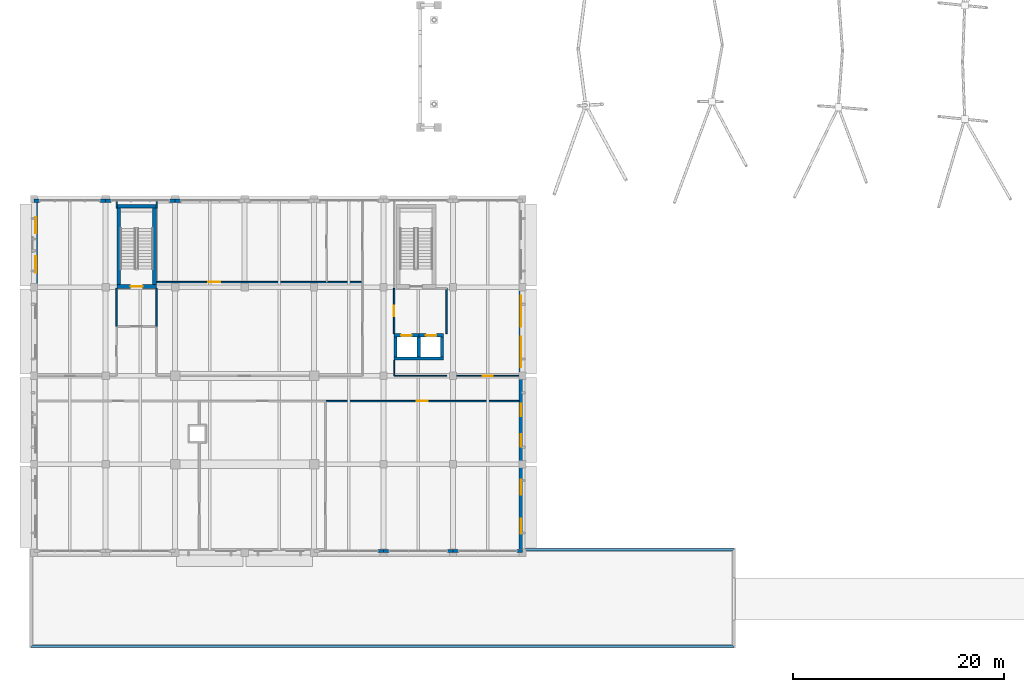
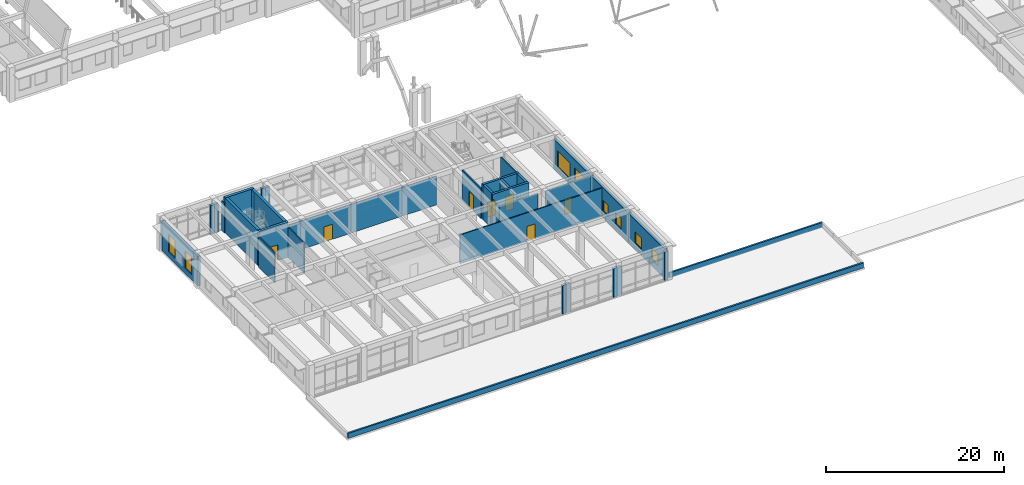
# One storey, part 43 of 75: 37 walls, 8 windows, 7 doors, 15 openings.
"""IFC4 building model written with IfcOpenShell, lengths in metres."""

from ifc_helpers import new_model, si_unit, direction, frame, frame_2d, origin, place, context, subcontext, project, spatial, rectangle, extrude, material, layer, layer_set, type_object, element, fill, save


model = new_model("IFC4")

# Units and contexts
model_context = context("Model", 3, precision=1e-05, world=origin(), true_north=direction((0.0, 1.0)))
body_context = subcontext(model_context, "Body", "Model", "MODEL_VIEW")
ifc_project = project(units=[si_unit("LENGTHUNIT", "METRE"), si_unit("AREAUNIT", "SQUARE_METRE"), si_unit("VOLUMEUNIT", "CUBIC_METRE"), si_unit("PLANEANGLEUNIT", "RADIAN"), si_unit("MASSUNIT", "GRAM", prefix="KILO")], contexts=[model_context])

# Site, building, storey
site_placement = place(None, origin())
site = spatial("IfcSite", under=ifc_project, at=site_placement, CompositionType="ELEMENT")
building_placement = place(site_placement, origin())
building = spatial("IfcBuilding", under=site, at=building_placement, Name="Kolvaren Faculty of Natural Sciences", CompositionType="ELEMENT")
storey_placement = place(building_placement, frame((0.0, 0.0, 5.39990234375)))
storey = spatial("IfcBuildingStorey", under=building, at=storey_placement, Name="L01", CompositionType="ELEMENT", Elevation=5.39990234375)

# Wall, opening, door
ifc_material_1 = material(Name="Acoustic mineral-wool insulated gypsum partition")
ifc_layer_1 = layer(ifc_material_1, 0.139892578125)
ifc_layer_set_1 = layer_set([ifc_layer_1], Name="Acoustic mineral-wool insulated gypsum partition")
wall_type_1 = type_object("IfcWallType", Name="CommonsPartitionWall_140", PredefinedType="PARTITIONING", material=ifc_layer_set_1)
wall_1_placement = place(storey_placement, frame((27.699951171875, 23.0, 0.0), z_axis=(0.0, 0.0, 1.0), x_axis=(1.0, 0.0, 0.0)))
wall_1 = element("IfcWall", 1, at=wall_1_placement, inside=storey, type_object=wall_type_1, Name="L01 interior partition PW-140", PredefinedType="PARTITIONING", context=body_context, shape_type="SweptSolid", body=[
    extrude(rectangle(XDim=18.3779296875, YDim=0.139892578125, at=frame_2d((9.18896484375, 0.0))), origin(), (0.0, 0.0, 1.0), 3.93505859375),
])
opening_1_placement = place(wall_1_placement, frame((8.6640625, 0.0, 0.0)))
opening_1 = element("IfcOpeningElement", 2, at=opening_1_placement, cuts=wall_1, Name="Opening ID-09", PredefinedType="OPENING", context=body_context, shape_type="SweptSolid", body=[
    extrude(rectangle(XDim=1.050048828125, YDim=2.06005859375, at=frame_2d((0.52490234375, 1.030029296875))), frame((0.0, 0.079833984375, 0.0), z_axis=(0.0, -1.0, 0.0), x_axis=(1.0, 0.0, 0.0)), (0.0, 0.0, 1.0), 0.159912109375),
])
ifc_material_2 = material(Name="Solid-core hardwood veneer door leaf in steel frame", Category="steel")
door_type_1 = type_object("IfcDoorType", Name="InteriorRoomDoor_1050x2060", OperationType="NOTDEFINED", PredefinedType="DOOR", material=ifc_material_2)
door_1_placement = place(opening_1_placement, origin())
door_1 = element("IfcDoor", 3, at=door_1_placement, inside=storey, type_object=door_type_1, Name="D-L01-0136", OperationType="SINGLE_SWING_RIGHT", OverallHeight=2.06005859375, OverallWidth=1.050048828125, PredefinedType="DOOR", context=body_context, shape_type="SweptSolid", body=[
    extrude(rectangle(XDim=1.050048828125, YDim=2.06005859375, at=frame_2d((0.52490234375, 1.030029296875))), frame((0.0, 0.02490234375, 0.0), z_axis=(0.0, -1.0, 0.0), x_axis=(1.0, 0.0, 0.0)), (0.0, 0.0, 1.0), 0.050048828125),
])
fill(opening_1, door_1)

ifc_material_3 = material(Name="Concrete C40/50", Category="concrete")
ifc_layer_2 = layer(ifc_material_3, 0.35009765625)
ifc_layer_set_2 = layer_set([ifc_layer_2], Name="Concrete C40/50")
wall_type_2 = type_object("IfcWallType", Name="CoreShearWall_350", PredefinedType="SHEAR", material=ifc_layer_set_2)
wall_2_placement = place(storey_placement, frame((7.875, 33.875, 0.0), z_axis=(0.0, 0.0, 1.0), x_axis=(1.0, 0.0, 0.0)))
wall_2 = element("IfcWall", 4, at=wall_2_placement, inside=storey, type_object=wall_type_2, Name="L01 CORE-C8 stair shear wall S", PredefinedType="SHEAR", context=body_context, shape_type="SweptSolid", body=[
    extrude(rectangle(XDim=3.75, YDim=0.35009765625, at=frame_2d((1.875, 0.0))), origin(), (0.0, 0.0, 1.0), 4.800048828125),
])
opening_2_placement = place(wall_2_placement, frame((1.300048828125, 0.0, 0.0)))
opening_2 = element("IfcOpeningElement", 5, at=opening_2_placement, cuts=wall_2, Name="Opening FD90", PredefinedType="OPENING", context=body_context, shape_type="SweptSolid", body=[
    extrude(rectangle(XDim=1.14990234375, YDim=2.14990234375, at=frame_2d((0.574951171875, 1.074951171875))), frame((0.0, 0.18505859375, 0.0), z_axis=(0.0, -1.0, 0.0), x_axis=(1.0, 0.0, 0.0)), (0.0, 0.0, 1.0), 0.3701171875),
])
ifc_material_4 = material(Name="Fire-rated solid-core hardwood door leaf in steel frame", Category="steel")
door_type_2 = type_object("IfcDoorType", Name="StairCoreFireDoor_1150x2150", OperationType="NOTDEFINED", PredefinedType="DOOR", material=ifc_material_4)
door_2_placement = place(opening_2_placement, origin())
door_2 = element("IfcDoor", 6, at=door_2_placement, inside=storey, type_object=door_type_2, Name="D-ST-ST-8-L01", OperationType="SINGLE_SWING_RIGHT", OverallHeight=2.14990234375, OverallWidth=1.14990234375, PredefinedType="DOOR", context=body_context, shape_type="SweptSolid", body=[
    extrude(rectangle(XDim=1.14990234375, YDim=2.14990234375, at=frame_2d((0.574951171875, 1.074951171875))), frame((0.0, 0.02490234375, 0.0), z_axis=(0.0, -1.0, 0.0), x_axis=(1.0, 0.0, 0.0)), (0.0, 0.0, 1.0), 0.050048828125),
])
fill(opening_2, door_2)

# Walls
wall_3_placement = place(storey_placement, frame((7.875, 41.5, 0.0), z_axis=(0.0, 0.0, 1.0), x_axis=(1.0, 0.0, 0.0)))
element("IfcWall", 7, at=wall_3_placement, inside=storey, type_object=wall_type_2, Name="L01 CORE-C8 stair shear wall N", PredefinedType="SHEAR", context=body_context, shape_type="SweptSolid", body=[
    extrude(rectangle(XDim=3.75, YDim=0.35009765625, at=frame_2d((1.875, 0.0))), origin(), (0.0, 0.0, 1.0), 4.800048828125),
])
for number, where, z_axis, x_axis, name in (
    (8, (8.050048828125, 34.050048828125, 0.0), (0.0, 0.0, 1.0), (0.0, 1.0, 0.0), "L01 CORE-C8 stair shear wall W"),
    (9, (11.449951171875, 34.050048828125, 0.0), (0.0, 0.0, 1.0), (0.0, 1.0, 0.0), "L01 CORE-C8 stair shear wall E"),
):
    element("IfcWall", number, at=place(storey_placement, frame(where, z_axis=z_axis, x_axis=x_axis)), inside=storey, type_object=wall_type_2, Name=name, PredefinedType="SHEAR", context=body_context, shape_type="SweptSolid", body=[
        extrude(rectangle(XDim=7.27490234375, YDim=0.35009765625, at=frame_2d((3.637451171875, 0.0))), origin(), (0.0, 0.0, 1.0), 4.800048828125),
    ])

# Wall, openings, windows
ifc_material_5 = material(Name="Sandstone-faced insulated cavity masonry", Category="masonry")
ifc_layer_3 = layer(ifc_material_5, 0.320068359375)
ifc_layer_set_3 = layer_set([ifc_layer_3], Name="Sandstone-faced insulated cavity masonry")
wall_type_3 = type_object("IfcWallType", Name="ExteriorCavityWall_320", PredefinedType="STANDARD", material=ifc_layer_set_3)
wall_4_placement = place(storey_placement, frame((46.239990234375, 33.800048828125, 0.0), z_axis=(0.0, 0.0, 1.0), x_axis=(0.0, -1.0, 0.0)))
wall_4 = element("IfcWall", 10, at=wall_4_placement, inside=storey, type_object=wall_type_3, Name="L01 exterior masonry wall EW-320 (150)", PredefinedType="STANDARD", context=body_context, shape_type="SweptSolid", body=[
    extrude(rectangle(XDim=8.400146484375, YDim=0.320068359375, at=frame_2d((4.2001953125, 0.0))), origin(), (0.0, 0.0, 1.0), 4.085205078125),
])
opening_3_placement = place(wall_4_placement, frame((0.818115234375, 0.0, 0.75)))
opening_3 = element("IfcOpeningElement", 11, at=opening_3_placement, cuts=wall_4, Name="Opening WIN-12", PredefinedType="OPENING", context=body_context, shape_type="SweptSolid", body=[
    extrude(rectangle(XDim=2.89990234375, YDim=2.199951171875, at=frame_2d((1.449951171875, 1.10009765625))), frame((0.0, 0.169921875, 0.0), z_axis=(0.0, -1.0, 0.0), x_axis=(1.0, 0.0, 0.0)), (0.0, 0.0, 1.0), 0.340087890625),
])
opening_4_placement = place(wall_4_placement, frame((4.681884765625, 0.0, 0.75)))
opening_4 = element("IfcOpeningElement", 12, at=opening_4_placement, cuts=wall_4, Name="Opening WIN-12", PredefinedType="OPENING", context=body_context, shape_type="SweptSolid", body=[
    extrude(rectangle(XDim=2.89990234375, YDim=2.199951171875, at=frame_2d((1.449951171875, 1.10009765625))), frame((0.0, 0.169921875, 0.0), z_axis=(0.0, -1.0, 0.0), x_axis=(1.0, 0.0, 0.0)), (0.0, 0.0, 1.0), 0.340087890625),
])
ifc_material_6 = material(Name="Double low-E solar control insulated glazing", Category="glass")
window_type_1 = type_object("IfcWindowType", Name="AluWindow_WIN12_2900x2200", PartitioningType="SINGLE_PANEL", PredefinedType="WINDOW", material=ifc_material_6)
window_1_placement = place(opening_3_placement, origin())
window_1 = element("IfcWindow", 13, at=window_1_placement, inside=storey, type_object=window_type_1, Name="WIN-L01-0151", OverallHeight=2.199951171875, OverallWidth=2.89990234375, PartitioningType="SINGLE_PANEL", PredefinedType="WINDOW", context=body_context, shape_type="SweptSolid", body=[
    extrude(rectangle(XDim=2.89990234375, YDim=2.199951171875, at=frame_2d((1.449951171875, 1.10009765625))), frame((0.0, 0.030029296875, 0.0), z_axis=(0.0, -1.0, 0.0), x_axis=(1.0, 0.0, 0.0)), (0.0, 0.0, 1.0), 0.06005859375),
])
fill(opening_3, window_1)
window_2_placement = place(opening_4_placement, origin())
window_2 = element("IfcWindow", 14, at=window_2_placement, inside=storey, type_object=window_type_1, Name="WIN-L01-0152", OverallHeight=2.199951171875, OverallWidth=2.89990234375, PartitioningType="SINGLE_PANEL", PredefinedType="WINDOW", context=body_context, shape_type="SweptSolid", body=[
    extrude(rectangle(XDim=2.89990234375, YDim=2.199951171875, at=frame_2d((1.449951171875, 1.10009765625))), frame((0.0, 0.030029296875, 0.0), z_axis=(0.0, -1.0, 0.0), x_axis=(1.0, 0.0, 0.0)), (0.0, 0.0, 1.0), 0.06005859375),
])
fill(opening_4, window_2)

wall_5_placement = place(storey_placement, frame((46.239990234375, 25.39990234375, 0.0), z_axis=(0.0, 0.0, 1.0), x_axis=(0.0, -1.0, 0.0)))
wall_5 = element("IfcWall", 15, at=wall_5_placement, inside=storey, type_object=wall_type_3, Name="L01 exterior masonry wall EW-320 (151)", PredefinedType="STANDARD", context=body_context, shape_type="SweptSolid", body=[
    extrude(rectangle(XDim=8.39990234375, YDim=0.320068359375, at=frame_2d((4.199951171875, 0.0))), origin(), (0.0, 0.0, 1.0), 4.085205078125),
])
opening_5_placement = place(wall_5_placement, frame((2.639892578125, 0.0, 0.89990234375)))
opening_5 = element("IfcOpeningElement", 16, at=opening_5_placement, cuts=wall_5, Name="Opening WIN-13", PredefinedType="OPENING", context=body_context, shape_type="SweptSolid", body=[
    extrude(rectangle(XDim=1.199951171875, YDim=1.5, at=frame_2d((0.60009765625, 0.75))), frame((0.0, 0.169921875, 0.0), z_axis=(0.0, -1.0, 0.0), x_axis=(1.0, 0.0, 0.0)), (0.0, 0.0, 1.0), 0.340087890625),
])
opening_6_placement = place(wall_5_placement, frame((5.531982421875, 0.0, 0.89990234375)))
opening_6 = element("IfcOpeningElement", 17, at=opening_6_placement, cuts=wall_5, Name="Opening WIN-13", PredefinedType="OPENING", context=body_context, shape_type="SweptSolid", body=[
    extrude(rectangle(XDim=1.199951171875, YDim=1.5, at=frame_2d((0.60009765625, 0.75))), frame((0.0, 0.169921875, 0.0), z_axis=(0.0, -1.0, 0.0), x_axis=(1.0, 0.0, 0.0)), (0.0, 0.0, 1.0), 0.340087890625),
])
window_type_2 = type_object("IfcWindowType", Name="AluWindow_WIN13_1200x1500", PartitioningType="SINGLE_PANEL", PredefinedType="WINDOW", material=ifc_material_6)
window_3_placement = place(opening_5_placement, origin())
window_3 = element("IfcWindow", 18, at=window_3_placement, inside=storey, type_object=window_type_2, Name="WIN-L01-0153", OverallHeight=1.5, OverallWidth=1.199951171875, PartitioningType="SINGLE_PANEL", PredefinedType="WINDOW", context=body_context, shape_type="SweptSolid", body=[
    extrude(rectangle(XDim=1.199951171875, YDim=1.5, at=frame_2d((0.60009765625, 0.75))), frame((0.0, 0.030029296875, 0.0), z_axis=(0.0, -1.0, 0.0), x_axis=(1.0, 0.0, 0.0)), (0.0, 0.0, 1.0), 0.06005859375),
])
fill(opening_5, window_3)
window_4_placement = place(opening_6_placement, origin())
window_4 = element("IfcWindow", 19, at=window_4_placement, inside=storey, type_object=window_type_2, Name="WIN-L01-0154", OverallHeight=1.5, OverallWidth=1.199951171875, PartitioningType="SINGLE_PANEL", PredefinedType="WINDOW", context=body_context, shape_type="SweptSolid", body=[
    extrude(rectangle(XDim=1.199951171875, YDim=1.5, at=frame_2d((0.60009765625, 0.75))), frame((0.0, 0.030029296875, 0.0), z_axis=(0.0, -1.0, 0.0), x_axis=(1.0, 0.0, 0.0)), (0.0, 0.0, 1.0), 0.06005859375),
])
fill(opening_6, window_4)

wall_6_placement = place(storey_placement, frame((46.239990234375, 17.0, 0.0), z_axis=(0.0, 0.0, 1.0), x_axis=(0.0, -1.0, 0.0)))
wall_6 = element("IfcWall", 20, at=wall_6_placement, inside=storey, type_object=wall_type_3, Name="L01 exterior masonry wall EW-320 (152)", PredefinedType="STANDARD", context=body_context, shape_type="SweptSolid", body=[
    extrude(rectangle(XDim=8.080078125, YDim=0.320068359375, at=frame_2d((4.0400390625, 0.0))), origin(), (0.0, 0.0, 1.0), 4.085205078125),
])
opening_7_placement = place(wall_6_placement, frame((1.481689453125, 0.0, 0.89990234375)))
opening_7 = element("IfcOpeningElement", 21, at=opening_7_placement, cuts=wall_6, Name="Opening WIN-14", PredefinedType="OPENING", context=body_context, shape_type="SweptSolid", body=[
    extrude(rectangle(XDim=1.39990234375, YDim=1.550048828125, at=frame_2d((0.699951171875, 0.77490234375))), frame((0.0, 0.169921875, 0.0), z_axis=(0.0, -1.0, 0.0), x_axis=(1.0, 0.0, 0.0)), (0.0, 0.0, 1.0), 0.340087890625),
])
opening_8_placement = place(wall_6_placement, frame((5.198486328125, 0.0, 0.89990234375)))
opening_8 = element("IfcOpeningElement", 22, at=opening_8_placement, cuts=wall_6, Name="Opening WIN-14", PredefinedType="OPENING", context=body_context, shape_type="SweptSolid", body=[
    extrude(rectangle(XDim=1.39990234375, YDim=1.550048828125, at=frame_2d((0.699951171875, 0.77490234375))), frame((0.0, 0.169921875, 0.0), z_axis=(0.0, -1.0, 0.0), x_axis=(1.0, 0.0, 0.0)), (0.0, 0.0, 1.0), 0.340087890625),
])
window_type_3 = type_object("IfcWindowType", Name="AluWindow_WIN14_1400x1550", PartitioningType="SINGLE_PANEL", PredefinedType="WINDOW", material=ifc_material_6)
window_5_placement = place(opening_7_placement, origin())
window_5 = element("IfcWindow", 23, at=window_5_placement, inside=storey, type_object=window_type_3, Name="WIN-L01-0155", OverallHeight=1.550048828125, OverallWidth=1.39990234375, PartitioningType="SINGLE_PANEL", PredefinedType="WINDOW", context=body_context, shape_type="SweptSolid", body=[
    extrude(rectangle(XDim=1.39990234375, YDim=1.550048828125, at=frame_2d((0.699951171875, 0.77490234375))), frame((0.0, 0.030029296875, 0.0), z_axis=(0.0, -1.0, 0.0), x_axis=(1.0, 0.0, 0.0)), (0.0, 0.0, 1.0), 0.06005859375),
])
fill(opening_7, window_5)
window_6_placement = place(opening_8_placement, origin())
window_6 = element("IfcWindow", 24, at=window_6_placement, inside=storey, type_object=window_type_3, Name="WIN-L01-0156", OverallHeight=1.550048828125, OverallWidth=1.39990234375, PartitioningType="SINGLE_PANEL", PredefinedType="WINDOW", context=body_context, shape_type="SweptSolid", body=[
    extrude(rectangle(XDim=1.39990234375, YDim=1.550048828125, at=frame_2d((0.699951171875, 0.77490234375))), frame((0.0, 0.030029296875, 0.0), z_axis=(0.0, -1.0, 0.0), x_axis=(1.0, 0.0, 0.0)), (0.0, 0.0, 1.0), 0.06005859375),
])
fill(opening_8, window_6)

# Walls
for number, where, z_axis, x_axis, name in (
    (25, (46.39990234375, 8.760009765625, 0.0), (0.0, 0.0, 1.0), (-1.0, 0.0, 0.0), "L01 curtain-wall pier stub 153"),
    (26, (40.320068359375, 8.760009765625, 0.0), (0.0, 0.0, 1.0), (-1.0, 0.0, 0.0), "L01 curtain-wall pier stub 154"),
    (27, (39.800048828125, 8.760009765625, 0.0), (0.0, 0.0, 1.0), (-1.0, 0.0, 0.0), "L01 curtain-wall pier stub 155"),
    (28, (33.719970703125, 8.760009765625, 0.0), (0.0, 0.0, 1.0), (-1.0, 0.0, 0.0), "L01 curtain-wall pier stub 156"),
    (29, (33.199951171875, 8.760009765625, 0.0), (0.0, 0.0, 1.0), (-1.0, 0.0, 0.0), "L01 curtain-wall pier stub 157"),
):
    element("IfcWall", number, at=place(storey_placement, frame(where, z_axis=z_axis, x_axis=x_axis)), inside=storey, type_object=wall_type_3, Name=name, PredefinedType="STANDARD", context=body_context, shape_type="SweptSolid", body=[
        extrude(rectangle(XDim=0.52001953125, YDim=0.320068359375, at=frame_2d((0.260009765625, 0.0))), origin(), (0.0, 0.0, 1.0), 3.93505859375),
    ])

# Wall, openings, windows
wall_7_placement = place(storey_placement, frame((0.159912109375, 33.800048828125, 0.0), z_axis=(0.0, 0.0, 1.0), x_axis=(0.0, 1.0, 0.0)))
wall_7 = element("IfcWall", 30, at=wall_7_placement, inside=storey, type_object=wall_type_3, Name="L01 exterior masonry wall EW-320 (168)", PredefinedType="STANDARD", context=body_context, shape_type="SweptSolid", body=[
    extrude(rectangle(XDim=8.079833984375, YDim=0.320068359375, at=frame_2d((4.0400390625, 0.0))), origin(), (0.0, 0.0, 1.0), 4.085205078125),
])
opening_9_placement = place(wall_7_placement, frame((1.406494140625, 0.0, 0.75)))
opening_9 = element("IfcOpeningElement", 31, at=opening_9_placement, cuts=wall_7, Name="Opening WIN-20", PredefinedType="OPENING", context=body_context, shape_type="SweptSolid", body=[
    extrude(rectangle(XDim=1.550048828125, YDim=2.39990234375, at=frame_2d((0.77490234375, 1.199951171875))), frame((0.0, 0.169921875, 0.0), z_axis=(0.0, -1.0, 0.0), x_axis=(1.0, 0.0, 0.0)), (0.0, 0.0, 1.0), 0.340087890625),
])
opening_10_placement = place(wall_7_placement, frame((5.123291015625, 0.0, 0.75)))
opening_10 = element("IfcOpeningElement", 32, at=opening_10_placement, cuts=wall_7, Name="Opening WIN-20", PredefinedType="OPENING", context=body_context, shape_type="SweptSolid", body=[
    extrude(rectangle(XDim=1.550048828125, YDim=2.39990234375, at=frame_2d((0.77490234375, 1.199951171875))), frame((0.0, 0.169921875, 0.0), z_axis=(0.0, -1.0, 0.0), x_axis=(1.0, 0.0, 0.0)), (0.0, 0.0, 1.0), 0.340087890625),
])
window_type_4 = type_object("IfcWindowType", Name="AluWindow_WIN20_1550x2400", PartitioningType="SINGLE_PANEL", PredefinedType="WINDOW", material=ifc_material_6)
window_7_placement = place(opening_9_placement, origin())
window_7 = element("IfcWindow", 33, at=window_7_placement, inside=storey, type_object=window_type_4, Name="WIN-L01-0165", OverallHeight=2.39990234375, OverallWidth=1.550048828125, PartitioningType="SINGLE_PANEL", PredefinedType="WINDOW", context=body_context, shape_type="SweptSolid", body=[
    extrude(rectangle(XDim=1.550048828125, YDim=2.39990234375, at=frame_2d((0.77490234375, 1.199951171875))), frame((0.0, 0.030029296875, 0.0), z_axis=(0.0, -1.0, 0.0), x_axis=(1.0, 0.0, 0.0)), (0.0, 0.0, 1.0), 0.06005859375),
])
fill(opening_9, window_7)
window_8_placement = place(opening_10_placement, origin())
window_8 = element("IfcWindow", 34, at=window_8_placement, inside=storey, type_object=window_type_4, Name="WIN-L01-0166", OverallHeight=2.39990234375, OverallWidth=1.550048828125, PartitioningType="SINGLE_PANEL", PredefinedType="WINDOW", context=body_context, shape_type="SweptSolid", body=[
    extrude(rectangle(XDim=1.550048828125, YDim=2.39990234375, at=frame_2d((0.77490234375, 1.199951171875))), frame((0.0, 0.030029296875, 0.0), z_axis=(0.0, -1.0, 0.0), x_axis=(1.0, 0.0, 0.0)), (0.0, 0.0, 1.0), 0.06005859375),
])
fill(opening_10, window_8)

# Walls
for number, where, z_axis, x_axis, name in (
    (35, (0.0, 42.0400390625, 0.0), (0.0, 0.0, 1.0), (1.0, 0.0, 0.0), "L01 curtain-wall pier stub 169"),
    (36, (6.280029296875, 42.0400390625, 0.0), (0.0, 0.0, 1.0), (1.0, 0.0, 0.0), "L01 curtain-wall pier stub 170"),
    (37, (6.800048828125, 42.0400390625, 0.0), (0.0, 0.0, 1.0), (1.0, 0.0, 0.0), "L01 curtain-wall pier stub 171"),
    (38, (12.8798828125, 42.0400390625, 0.0), (0.0, 0.0, 1.0), (1.0, 0.0, 0.0), "L01 curtain-wall pier stub 172"),
    (39, (13.39990234375, 42.0400390625, 0.0), (0.0, 0.0, 1.0), (1.0, 0.0, 0.0), "L01 curtain-wall pier stub 173"),
):
    element("IfcWall", number, at=place(storey_placement, frame(where, z_axis=z_axis, x_axis=x_axis)), inside=storey, type_object=wall_type_3, Name=name, PredefinedType="STANDARD", context=body_context, shape_type="SweptSolid", body=[
        extrude(rectangle(XDim=0.52001953125, YDim=0.320068359375, at=frame_2d((0.260009765625, 0.0))), origin(), (0.0, 0.0, 1.0), 3.93505859375),
    ])

# Wall, opening, door
ifc_layer_4 = layer(ifc_material_1, 0.1298828125)
ifc_layer_set_4 = layer_set([ifc_layer_4], Name="Acoustic mineral-wool insulated gypsum partition")
wall_type_4 = type_object("IfcWallType", Name="OfficePartitionWall_130", PredefinedType="PARTITIONING", material=ifc_layer_set_4)
wall_8_placement = place(storey_placement, frame((11.64990234375, 34.300048828125, 0.0), z_axis=(0.0, 0.0, 1.0), x_axis=(1.0, 0.0, 0.0)))
wall_8 = element("IfcWall", 40, at=wall_8_placement, inside=storey, type_object=wall_type_4, Name="L01 interior partition PW-130", PredefinedType="PARTITIONING", context=body_context, shape_type="SweptSolid", body=[
    extrude(rectangle(XDim=19.550048828125, YDim=0.1298828125, at=frame_2d((9.77490234375, 0.0))), origin(), (0.0, 0.0, 1.0), 3.93505859375),
])
opening_11_placement = place(wall_8_placement, frame((4.904052734375, 0.0, 0.0)))
opening_11 = element("IfcOpeningElement", 41, at=opening_11_placement, cuts=wall_8, Name="Opening ID-11", PredefinedType="OPENING", context=body_context, shape_type="SweptSolid", body=[
    extrude(rectangle(XDim=1.139892578125, YDim=2.06005859375, at=frame_2d((0.56982421875, 1.030029296875))), frame((0.0, 0.074951171875, 0.0), z_axis=(0.0, -1.0, 0.0), x_axis=(1.0, 0.0, 0.0)), (0.0, 0.0, 1.0), 0.14990234375),
])
door_type_3 = type_object("IfcDoorType", Name="InteriorRoomDoor_1140x2060", OperationType="NOTDEFINED", PredefinedType="DOOR", material=ifc_material_2)
door_3_placement = place(opening_11_placement, origin())
door_3 = element("IfcDoor", 42, at=door_3_placement, inside=storey, type_object=door_type_3, Name="D-L01-0141", OperationType="SINGLE_SWING_LEFT", OverallHeight=2.06005859375, OverallWidth=1.139892578125, PredefinedType="DOOR", context=body_context, shape_type="SweptSolid", body=[
    extrude(rectangle(XDim=1.139892578125, YDim=2.06005859375, at=frame_2d((0.56982421875, 1.030029296875))), frame((0.0, 0.02490234375, 0.0), z_axis=(0.0, -1.0, 0.0), x_axis=(1.0, 0.0, 0.0)), (0.0, 0.0, 1.0), 0.050048828125),
])
fill(opening_11, door_3)

# Walls
ifc_material_7 = material(Name="Precast concrete C35/45", Category="concrete")
ifc_layer_5 = layer(ifc_material_7, 0.219970703125)
ifc_layer_set_5 = layer_set([ifc_layer_5], Name="Precast concrete C35/45")
wall_type_5 = type_object("IfcWallType", Name="ParapetUpstandWall_220", PredefinedType="PARAPET", material=ifc_layer_set_5)
wall_9_placement = place(storey_placement, frame((46.64990234375, 8.8798828125, 0.0), z_axis=(0.0, 0.0, 1.0), x_axis=(1.0, 0.0, 0.0)))
element("IfcWall", 43, at=wall_9_placement, inside=storey, type_object=wall_type_5, Name="L01 architectural sandstone roof parapet 7", PredefinedType="PARAPET", context=body_context, shape_type="SweptSolid", body=[
    extrude(rectangle(XDim=19.830078125, YDim=0.219970703125, at=frame_2d((9.9150390625, 0.0))), origin(), (0.0, 0.0, 1.0), 0.68017578125),
])
wall_10_placement = place(storey_placement, frame((66.47998046875, -0.280029296875, 0.0), z_axis=(0.0, 0.0, 1.0), x_axis=(-1.0, 0.0, 0.0)))
element("IfcWall", 44, at=wall_10_placement, inside=storey, type_object=wall_type_5, Name="L01 architectural sandstone roof parapet 11", PredefinedType="PARAPET", context=body_context, shape_type="SweptSolid", body=[
    extrude(rectangle(XDim=66.760009765625, YDim=0.219970703125, at=frame_2d((33.3798828125, 0.0))), origin(), (0.0, 0.0, 1.0), 0.68017578125),
])
ifc_material_8 = material(Name="Double fire-rated gypsum board on 100 mm steel stud", Category="steel")
ifc_layer_6 = layer(ifc_material_8, 0.14990234375)
ifc_layer_set_6 = layer_set([ifc_layer_6], Name="Double fire-rated gypsum board on 100 mm steel stud")
wall_type_6 = type_object("IfcWallType", Name="RatedCorridorWall_150", PredefinedType="PARTITIONING", material=ifc_layer_set_6)
wall_11_placement = place(storey_placement, frame((39.199951171875, 33.699951171875, 0.0), z_axis=(0.0, 0.0, 1.0), x_axis=(0.0, -1.0, 0.0)))
element("IfcWall", 45, at=wall_11_placement, inside=storey, type_object=wall_type_6, Name="L01 interior partition LW-150", PredefinedType="PARTITIONING", context=body_context, shape_type="SweptSolid", body=[
    extrude(rectangle(XDim=4.300048828125, YDim=0.14990234375, at=frame_2d((2.14990234375, 0.0))), origin(), (0.0, 0.0, 1.0), 4.135009765625),
])

# Wall, opening, door
wall_12_placement = place(storey_placement, frame((34.199951171875, 29.402099609375, 0.0), z_axis=(0.0, 0.0, 1.0), x_axis=(0.0, 1.0, 0.0)))
wall_12 = element("IfcWall", 46, at=wall_12_placement, inside=storey, type_object=wall_type_6, Name="L01 interior partition LW-150", PredefinedType="PARTITIONING", context=body_context, shape_type="SweptSolid", body=[
    extrude(rectangle(XDim=4.2978515625, YDim=0.14990234375, at=frame_2d((2.14892578125, 0.0))), origin(), (0.0, 0.0, 1.0), 4.135009765625),
])
opening_12_placement = place(wall_12_placement, frame((1.64892578125, 0.0, 0.0)))
opening_12 = element("IfcOpeningElement", 47, at=opening_12_placement, cuts=wall_12, Name="Opening FD30", PredefinedType="OPENING", context=body_context, shape_type="SweptSolid", body=[
    extrude(rectangle(XDim=1.0, YDim=2.10009765625, at=frame_2d((0.5, 1.050048828125))), frame((0.0, 0.0849609375, 0.0), z_axis=(0.0, -1.0, 0.0), x_axis=(1.0, 0.0, 0.0)), (0.0, 0.0, 1.0), 0.169921875),
])
door_type_4 = type_object("IfcDoorType", Name="CorridorFireDoor_1000x2100", OperationType="NOTDEFINED", PredefinedType="DOOR", material=ifc_material_4)
door_4_placement = place(opening_12_placement, origin())
door_4 = element("IfcDoor", 48, at=door_4_placement, inside=storey, type_object=door_type_4, Name="D-L01-0106", OperationType="SINGLE_SWING_RIGHT", OverallHeight=2.10009765625, OverallWidth=1.0, PredefinedType="DOOR", context=body_context, shape_type="SweptSolid", body=[
    extrude(rectangle(XDim=1.0, YDim=2.10009765625, at=frame_2d((0.5, 1.050048828125))), frame((0.0, 0.02490234375, 0.0), z_axis=(0.0, -1.0, 0.0), x_axis=(1.0, 0.0, 0.0)), (0.0, 0.0, 1.0), 0.050048828125),
])
fill(opening_12, door_4)

# Walls
for number, where, z_axis, x_axis, name in (
    (49, (11.64990234375, 33.699951171875, 0.0), (0.0, 0.0, 1.0), (0.0, -1.0, 0.0), "L01 interior partition LW-150"),
    (50, (7.85009765625, 30.10009765625, 0.0), (0.0, 0.0, 1.0), (0.0, 1.0, 0.0), "L01 interior partition LW-150"),
):
    element("IfcWall", number, at=place(storey_placement, frame(where, z_axis=z_axis, x_axis=x_axis)), inside=storey, type_object=wall_type_6, Name=name, PredefinedType="PARTITIONING", context=body_context, shape_type="SweptSolid", body=[
        extrude(rectangle(XDim=3.599853515625, YDim=0.14990234375, at=frame_2d((1.7998046875, 0.0))), origin(), (0.0, 0.0, 1.0), 4.135009765625),
    ])
ifc_layer_7 = layer(ifc_material_3, 0.300048828125)
ifc_layer_set_7 = layer_set([ifc_layer_7], Name="Concrete C40/50")
wall_type_7 = type_object("IfcWallType", Name="ShaftShearWall_300", PredefinedType="SHEAR", material=ifc_layer_set_7)
wall_13_placement = place(storey_placement, frame((34.199951171875, 27.050048828125, 0.0), z_axis=(0.0, 0.0, 1.0), x_axis=(1.0, 0.0, 0.0)))
element("IfcWall", 51, at=wall_13_placement, inside=storey, type_object=wall_type_7, Name="L01 twin lift shaft wall S", PredefinedType="SHEAR", context=body_context, shape_type="SweptSolid", body=[
    extrude(rectangle(XDim=4.699951171875, YDim=0.300048828125, at=frame_2d((2.35009765625, 0.0))), origin(), (0.0, 0.0, 1.0), 4.800048828125),
])

# Wall, opening, door
wall_14_placement = place(storey_placement, frame((34.199951171875, 29.25, 0.0), z_axis=(0.0, 0.0, 1.0), x_axis=(1.0, 0.0, 0.0)))
wall_14 = element("IfcWall", 52, at=wall_14_placement, inside=storey, type_object=wall_type_7, Name="L01 lift PL-2 shaft wall N", PredefinedType="SHEAR", context=body_context, shape_type="SweptSolid", body=[
    extrude(rectangle(XDim=2.35009765625, YDim=0.300048828125, at=frame_2d((1.175048828125, 0.0))), origin(), (0.0, 0.0, 1.0), 4.800048828125),
])
opening_13_placement = place(wall_14_placement, frame((0.675048828125, 0.0, 0.0)))
opening_13 = element("IfcOpeningElement", 53, at=opening_13_placement, cuts=wall_14, Name="Opening LD-02", PredefinedType="OPENING", context=body_context, shape_type="SweptSolid", body=[
    extrude(rectangle(XDim=1.0, YDim=2.10009765625, at=frame_2d((0.5, 1.050048828125))), frame((0.0, 0.159912109375, 0.0), z_axis=(0.0, -1.0, 0.0), x_axis=(1.0, 0.0, 0.0)), (0.0, 0.0, 1.0), 0.320068359375),
])
ifc_material_9 = material(Name="Brushed stainless steel lift car and sliding door assembly", Category="steel")
door_type_5 = type_object("IfcDoorType", Name="LiftLandingSliding_1000x2100", OperationType="SLIDING_TO_LEFT", PredefinedType="DOOR", material=ifc_material_9)
door_5_placement = place(opening_13_placement, origin())
door_5 = element("IfcDoor", 54, at=door_5_placement, inside=storey, type_object=door_type_5, Name="D-LIFT-PL-2-L01", OperationType="SLIDING_TO_LEFT", OverallHeight=2.10009765625, OverallWidth=1.0, PredefinedType="DOOR", context=body_context, shape_type="SweptSolid", body=[
    extrude(rectangle(XDim=1.0, YDim=2.10009765625, at=frame_2d((0.5, 1.050048828125))), frame((0.0, 0.02490234375, 0.0), z_axis=(0.0, -1.0, 0.0), x_axis=(1.0, 0.0, 0.0)), (0.0, 0.0, 1.0), 0.050048828125),
])
fill(opening_13, door_5)

wall_15_placement = place(storey_placement, frame((36.550048828125, 29.25, 0.0), z_axis=(0.0, 0.0, 1.0), x_axis=(1.0, 0.0, 0.0)))
wall_15 = element("IfcWall", 55, at=wall_15_placement, inside=storey, type_object=wall_type_7, Name="L01 lift PL-4 shaft wall N", PredefinedType="SHEAR", context=body_context, shape_type="SweptSolid", body=[
    extrude(rectangle(XDim=2.349853515625, YDim=0.300048828125, at=frame_2d((1.1748046875, 0.0))), origin(), (0.0, 0.0, 1.0), 4.800048828125),
])
opening_14_placement = place(wall_15_placement, frame((0.675048828125, 0.0, 0.0)))
opening_14 = element("IfcOpeningElement", 56, at=opening_14_placement, cuts=wall_15, Name="Opening LD-02", PredefinedType="OPENING", context=body_context, shape_type="SweptSolid", body=[
    extrude(rectangle(XDim=1.0, YDim=2.10009765625, at=frame_2d((0.5, 1.050048828125))), frame((0.0, 0.159912109375, 0.0), z_axis=(0.0, -1.0, 0.0), x_axis=(1.0, 0.0, 0.0)), (0.0, 0.0, 1.0), 0.320068359375),
])
door_6_placement = place(opening_14_placement, origin())
door_6 = element("IfcDoor", 57, at=door_6_placement, inside=storey, type_object=door_type_5, Name="D-LIFT-PL-4-L01", OperationType="SLIDING_TO_LEFT", OverallHeight=2.10009765625, OverallWidth=1.0, PredefinedType="DOOR", context=body_context, shape_type="SweptSolid", body=[
    extrude(rectangle(XDim=1.0, YDim=2.10009765625, at=frame_2d((0.5, 1.050048828125))), frame((0.0, 0.02490234375, 0.0), z_axis=(0.0, -1.0, 0.0), x_axis=(1.0, 0.0, 0.0)), (0.0, 0.0, 1.0), 0.050048828125),
])
fill(opening_14, door_6)

# Walls
for number, where, z_axis, x_axis, name in (
    (58, (34.35009765625, 27.199951171875, 0.0), (0.0, 0.0, 1.0), (0.0, 1.0, 0.0), "L01 lift PL-2 shaft wall W"),
    (59, (36.550048828125, 27.199951171875, 0.0), (0.0, 0.0, 1.0), (0.0, 1.0, 0.0), "L01 twin lift divider wall"),
    (60, (38.75, 27.199951171875, 0.0), (0.0, 0.0, 1.0), (0.0, 1.0, 0.0), "L01 lift PL-4 shaft wall E"),
):
    element("IfcWall", number, at=place(storey_placement, frame(where, z_axis=z_axis, x_axis=x_axis)), inside=storey, type_object=wall_type_7, Name=name, PredefinedType="SHEAR", context=body_context, shape_type="SweptSolid", body=[
        extrude(rectangle(XDim=1.900146484375, YDim=0.300048828125, at=frame_2d((0.9501953125, 0.0))), origin(), (0.0, 0.0, 1.0), 4.800048828125),
    ])
ifc_layer_8 = layer(ifc_material_1, 0.114990234375)
ifc_layer_set_8 = layer_set([ifc_layer_8], Name="Acoustic mineral-wool insulated gypsum partition")
wall_type_8 = type_object("IfcWallType", Name="StorePartitionWall_115", PredefinedType="PARTITIONING", material=ifc_layer_set_8)
wall_16_placement = place(storey_placement, frame((7.85009765625, 42.0, 0.0), z_axis=(0.0, 0.0, 1.0), x_axis=(0.0, -1.0, 0.0)))
element("IfcWall", 61, at=wall_16_placement, inside=storey, type_object=wall_type_8, Name="L01 interior partition PW-115", PredefinedType="PARTITIONING", context=body_context, shape_type="SweptSolid", body=[
    extrude(rectangle(XDim=0.675048828125, YDim=0.114990234375, at=frame_2d((0.33740234375, 0.0))), origin(), (0.0, 0.0, 1.0), 4.085205078125),
])
ifc_layer_9 = layer(ifc_material_1, 0.1201171875)
ifc_layer_set_9 = layer_set([ifc_layer_9], Name="Acoustic mineral-wool insulated gypsum partition")
wall_type_9 = type_object("IfcWallType", Name="StudioPartitionWall_120", PredefinedType="PARTITIONING", material=ifc_layer_set_9)
wall_17_placement = place(storey_placement, frame((11.64990234375, 41.324951171875, 0.0), z_axis=(0.0, 0.0, 1.0), x_axis=(0.0, 1.0, 0.0)))
element("IfcWall", 62, at=wall_17_placement, inside=storey, type_object=wall_type_9, Name="L01 interior partition PW-120", PredefinedType="PARTITIONING", context=body_context, shape_type="SweptSolid", body=[
    extrude(rectangle(XDim=0.675048828125, YDim=0.1201171875, at=frame_2d((0.33740234375, 0.0))), origin(), (0.0, 0.0, 1.0), 4.085205078125),
])

# Wall, opening, door
ifc_layer_10 = layer(ifc_material_1, 0.10498046875)
ifc_layer_set_10 = layer_set([ifc_layer_10], Name="Acoustic mineral-wool insulated gypsum partition")
wall_type_10 = type_object("IfcWallType", Name="WetRoomPartition_105", PredefinedType="PARTITIONING", material=ifc_layer_set_10)
wall_18_placement = place(storey_placement, frame((46.050048828125, 25.39990234375, 0.0), z_axis=(0.0, 0.0, 1.0), x_axis=(-1.0, 0.0, 0.0)))
wall_18 = element("IfcWall", 63, at=wall_18_placement, inside=storey, type_object=wall_type_10, Name="L01 interior partition PW-105", PredefinedType="PARTITIONING", context=body_context, shape_type="SweptSolid", body=[
    extrude(rectangle(XDim=5.900146484375, YDim=0.10498046875, at=frame_2d((2.9501953125, 0.0))), origin(), (0.0, 0.0, 1.0), 4.135009765625),
])
opening_15_placement = place(wall_18_placement, frame((2.485107421875, 0.0, 0.0)))
opening_15 = element("IfcOpeningElement", 64, at=opening_15_placement, cuts=wall_18, Name="Opening ID-13", PredefinedType="OPENING", context=body_context, shape_type="SweptSolid", body=[
    extrude(rectangle(XDim=0.929931640625, YDim=2.10009765625, at=frame_2d((0.46484375, 1.050048828125))), frame((0.0, 0.0625, 0.0), z_axis=(0.0, -1.0, 0.0), x_axis=(1.0, 0.0, 0.0)), (0.0, 0.0, 1.0), 0.125),
])
door_type_6 = type_object("IfcDoorType", Name="InteriorRoomDoor_930x2100", OperationType="NOTDEFINED", PredefinedType="DOOR", material=ifc_material_2)
door_7_placement = place(opening_15_placement, origin())
door_7 = element("IfcDoor", 65, at=door_7_placement, inside=storey, type_object=door_type_6, Name="D-L01-0144", OperationType="SINGLE_SWING_RIGHT", OverallHeight=2.10009765625, OverallWidth=0.929931640625, PredefinedType="DOOR", context=body_context, shape_type="SweptSolid", body=[
    extrude(rectangle(XDim=0.929931640625, YDim=2.10009765625, at=frame_2d((0.46484375, 1.050048828125))), frame((0.0, 0.02490234375, 0.0), z_axis=(0.0, -1.0, 0.0), x_axis=(1.0, 0.0, 0.0)), (0.0, 0.0, 1.0), 0.050048828125),
])
fill(opening_15, door_7)

# Walls
wall_19_placement = place(storey_placement, frame((39.199951171875, 25.39990234375, 0.0), z_axis=(0.0, 0.0, 1.0), x_axis=(-1.0, 0.0, 0.0)))
element("IfcWall", 66, at=wall_19_placement, inside=storey, type_object=wall_type_10, Name="L01 interior partition PW-105", PredefinedType="PARTITIONING", context=body_context, shape_type="SweptSolid", body=[
    extrude(rectangle(XDim=5.0, YDim=0.10498046875, at=frame_2d((2.5, 0.0))), origin(), (0.0, 0.0, 1.0), 4.135009765625),
])
wall_20_placement = place(storey_placement, frame((34.199951171875, 25.39990234375, 0.0), z_axis=(0.0, 0.0, 1.0), x_axis=(0.0, 1.0, 0.0)))
element("IfcWall", 67, at=wall_20_placement, inside=storey, type_object=wall_type_10, Name="L01 interior partition PW-105", PredefinedType="PARTITIONING", context=body_context, shape_type="SweptSolid", body=[
    extrude(rectangle(XDim=1.498046875, YDim=0.10498046875, at=frame_2d((0.7490234375, 0.0))), origin(), (0.0, 0.0, 1.0), 4.135009765625),
])

save(model, "model.ifc")
